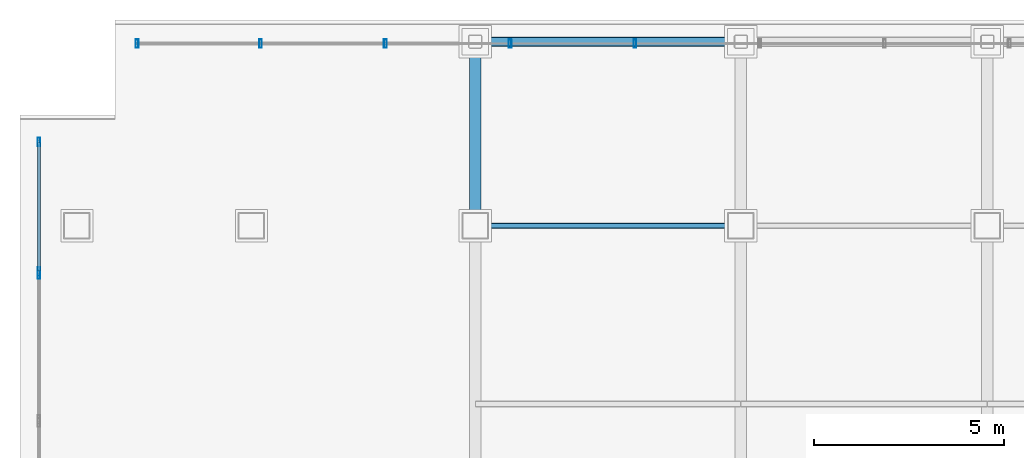
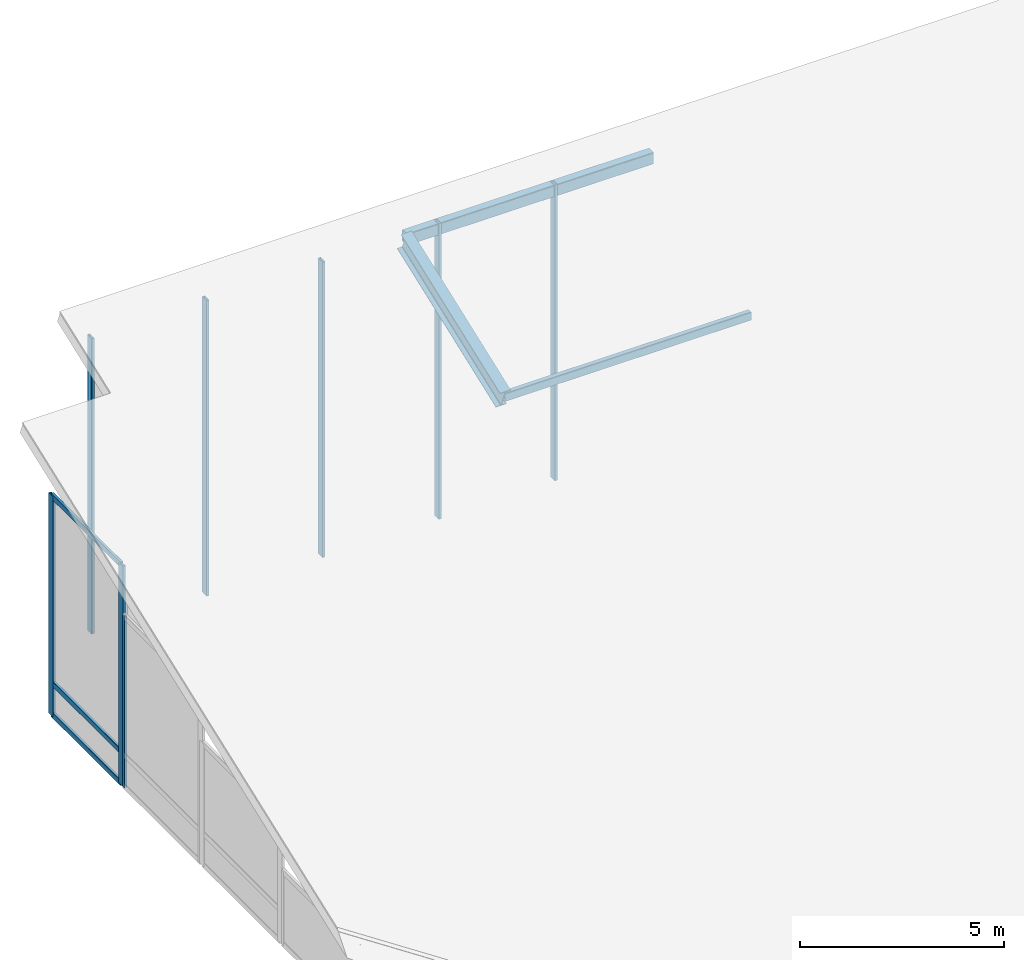
# One storey, part 6 of 12: 13 members, 1 beam, 3 elements without a shape of their own.
"""IFC4 building model written with IfcOpenShell, lengths in metres."""

from ifc_helpers import new_model, si_unit, direction, frame, origin, origin_2d, place, context, subcontext, project, spatial, hollow_rectangle, i_section, extrude, material, material_profile, profile_set, type_object, element, aggregate, save


model = new_model("IFC4")

# Units and contexts
model_context = context("Model", 3, precision=1e-05, world=origin(), true_north=direction((0.0, 1.0)))
body_context = subcontext(model_context, "Body", "Model", "MODEL_VIEW")
ifc_project = project(units=[si_unit("LENGTHUNIT", "METRE"), si_unit("AREAUNIT", "SQUARE_METRE"), si_unit("VOLUMEUNIT", "CUBIC_METRE"), si_unit("PLANEANGLEUNIT", "RADIAN"), si_unit("MASSUNIT", "GRAM", prefix="KILO")], contexts=[model_context])

# Site, building, storey
site_placement = place(None, origin())
site = spatial("IfcSite", under=ifc_project, at=site_placement, CompositionType="ELEMENT")
building_placement = place(site_placement, origin())
building = spatial("IfcBuilding", under=site, at=building_placement, Name="Noeulbin Bourse Tower", CompositionType="ELEMENT")
storey_placement = place(building_placement, frame((0.0, 0.0, 317.39990234375)))
storey = spatial("IfcBuildingStorey", under=building, at=storey_placement, Name="RF", CompositionType="ELEMENT", Elevation=317.39990234375)

# Beam
ifc_material_1 = material(Name="Steel S355", Category="steel")
ifc_material_profile_1 = material_profile(ifc_material_1, i_section(OverallWidth=0.300048828125, OverallDepth=0.587890625, WebThickness=0.011962890625, FlangeThickness=0.02001953125, FilletRadius=0.02392578125, at=origin_2d()), Name="H-588x300x12x20", Category="LoadBearing")
ifc_profile_set_1 = profile_set([ifc_material_profile_1], Name="Steel S355")
beam_type = type_object("IfcBeamType", Name="BM-GRD-588", PredefinedType="USERDEFINED", material=ifc_profile_set_1)
beam_placement = place(storey_placement, frame((24.0, 38.300048828125, 6.7529296875), z_axis=(0.0, 0.936675578979, 0.350198314879), x_axis=(-1.0, 0.0, 0.0)))
element("IfcBeam", 1, at=beam_placement, inside=storey, type_object=beam_type, Name="Sloped Crown Rafter G-588-01.3", ObjectType="GIRDER", PredefinedType="USERDEFINED", context=body_context, shape_type="SweptSolid", body=[
    extrude(i_section(OverallWidth=0.300048828125, OverallDepth=0.587890625, WebThickness=0.011962890625, FlangeThickness=0.02001953125, FilletRadius=0.02392578125, at=origin_2d()), origin(), (0.0, 0.0, 1.0), 5.177734375),
])

# Curtain wall, members
ifc_material_2 = material(Name="Translucent Ceramic-Fritted Glass", Category="glass")
curtain_wall_type = type_object("IfcCurtainWallType", Name="CW-SYS-5", PredefinedType="NOTDEFINED", material=ifc_material_2)
curtain_wall_1_placement = place(storey_placement, origin())
curtain_wall_1 = element("IfcCurtainWall", 2, at=curtain_wall_1_placement, inside=storey, type_object=curtain_wall_type, Name="Unitised Curtain Wall CW-RF-CRN-N", PredefinedType="NOTDEFINED")
ifc_material_3 = material(Name="Anodised Aluminium 6063-T6", Category="aluminium")
ifc_material_profile_2 = material_profile(ifc_material_3, hollow_rectangle(XDim=0.074951171875, YDim=0.219970703125, WallThickness=0.0048828125, InnerFilletRadius=0.00244140625, OuterFilletRadius=0.0048828125, at=origin_2d()), Name="ALU-MULL-75x220x5", Category="LoadBearing")
ifc_profile_set_2 = profile_set([ifc_material_profile_2], Name="Anodised Aluminium 6063-T6")
member_type_1 = type_object("IfcMemberType", Name="CW-SYS-5-MUL", PredefinedType="MULLION", material=ifc_profile_set_2)
member_1_placement = place(storey_placement, frame((15.090087890625, 43.10009765625, -0.02001953125), z_axis=(0.0, 0.0, 1.0), x_axis=(1.0, 0.0, 0.0)))
member_1 = element("IfcMember", 3, at=member_1_placement, type_object=member_type_1, Name="Curtain Wall Mullion CW-RF-CRN-N-M00", PredefinedType="MULLION", context=body_context, shape_type="SweptSolid", body=[
    extrude(hollow_rectangle(XDim=0.074951171875, YDim=0.219970703125, WallThickness=0.0048828125, InnerFilletRadius=0.00244140625, OuterFilletRadius=0.0048828125, at=origin_2d()), origin(), (0.0, 0.0, 1.0), 8.851318359375),
])
member_2_placement = place(storey_placement, frame((18.340087890625, 43.10009765625, -0.02001953125), z_axis=(0.0, 0.0, 1.0), x_axis=(1.0, 0.0, 0.0)))
member_2 = element("IfcMember", 4, at=member_2_placement, type_object=member_type_1, Name="Curtain Wall Mullion CW-RF-CRN-N-M01", PredefinedType="MULLION", context=body_context, shape_type="SweptSolid", body=[
    extrude(hollow_rectangle(XDim=0.074951171875, YDim=0.219970703125, WallThickness=0.0048828125, InnerFilletRadius=0.00244140625, OuterFilletRadius=0.0048828125, at=origin_2d()), origin(), (0.0, 0.0, 1.0), 8.851318359375),
])
member_3_placement = place(storey_placement, frame((21.6298828125, 43.10009765625, -0.02001953125), z_axis=(0.0, 0.0, 1.0), x_axis=(1.0, 0.0, 0.0)))
member_3 = element("IfcMember", 5, at=member_3_placement, type_object=member_type_1, Name="Curtain Wall Mullion CW-RF-CRN-N-M02", PredefinedType="MULLION", context=body_context, shape_type="SweptSolid", body=[
    extrude(hollow_rectangle(XDim=0.074951171875, YDim=0.219970703125, WallThickness=0.0048828125, InnerFilletRadius=0.00244140625, OuterFilletRadius=0.0048828125, at=origin_2d()), origin(), (0.0, 0.0, 1.0), 8.851318359375),
])
member_4_placement = place(storey_placement, frame((24.919921875, 43.10009765625, -0.02001953125), z_axis=(0.0, 0.0, 1.0), x_axis=(1.0, 0.0, 0.0)))
member_4 = element("IfcMember", 6, at=member_4_placement, type_object=member_type_1, Name="Curtain Wall Mullion CW-RF-CRN-N-M03", PredefinedType="MULLION", context=body_context, shape_type="SweptSolid", body=[
    extrude(hollow_rectangle(XDim=0.074951171875, YDim=0.219970703125, WallThickness=0.0048828125, InnerFilletRadius=0.00244140625, OuterFilletRadius=0.0048828125, at=origin_2d()), origin(), (0.0, 0.0, 1.0), 8.851318359375),
])
member_5_placement = place(storey_placement, frame((28.2099609375, 43.10009765625, -0.02001953125), z_axis=(0.0, 0.0, 1.0), x_axis=(1.0, 0.0, 0.0)))
member_5 = element("IfcMember", 7, at=member_5_placement, type_object=member_type_1, Name="Curtain Wall Mullion CW-RF-CRN-N-M04", PredefinedType="MULLION", context=body_context, shape_type="SweptSolid", body=[
    extrude(hollow_rectangle(XDim=0.074951171875, YDim=0.219970703125, WallThickness=0.0048828125, InnerFilletRadius=0.00244140625, OuterFilletRadius=0.0048828125, at=origin_2d()), origin(), (0.0, 0.0, 1.0), 8.851318359375),
])
aggregate(curtain_wall_1, [member_1, member_2, member_3, member_4, member_5])

# Curtain wall, member
curtain_wall_2_placement = place(storey_placement, origin())
curtain_wall_2 = element("IfcCurtainWall", 8, at=curtain_wall_2_placement, inside=storey, type_object=curtain_wall_type, Name="Unitised Curtain Wall CW-RF-CRN-W4", PredefinedType="NOTDEFINED")
member_6_placement = place(storey_placement, frame((12.5, 37.010009765625, -0.02001953125), z_axis=(0.0, 0.0, 1.0), x_axis=(1.0, 0.0, 0.0)))
member_6 = element("IfcMember", 9, at=member_6_placement, type_object=member_type_1, Name="Curtain Wall Mullion CW-RF-CRN-W4-M01", PredefinedType="MULLION", context=body_context, shape_type="SweptSolid", body=[
    extrude(hollow_rectangle(XDim=0.074951171875, YDim=0.219970703125, WallThickness=0.0048828125, InnerFilletRadius=0.00244140625, OuterFilletRadius=0.0048828125, at=origin_2d()), origin(), (0.0, 0.0, 1.0), 5.131103515625),
])
aggregate(curtain_wall_2, [member_6])

# Curtain wall, members
curtain_wall_3_placement = place(storey_placement, origin())
curtain_wall_3 = element("IfcCurtainWall", 10, at=curtain_wall_3_placement, inside=storey, type_object=curtain_wall_type, Name="Unitised Curtain Wall CW-RF-CRN-W5", PredefinedType="NOTDEFINED")
member_7_placement = place(storey_placement, frame((12.5, 37.090087890625, -0.02001953125), z_axis=(0.0, 0.0, 1.0), x_axis=(1.0, 0.0, 0.0)))
member_7 = element("IfcMember", 11, at=member_7_placement, type_object=member_type_1, Name="Curtain Wall Mullion CW-RF-CRN-W5-M00", PredefinedType="MULLION", context=body_context, shape_type="SweptSolid", body=[
    extrude(hollow_rectangle(XDim=0.074951171875, YDim=0.219970703125, WallThickness=0.0048828125, InnerFilletRadius=0.00244140625, OuterFilletRadius=0.0048828125, at=origin_2d()), origin(), (0.0, 0.0, 1.0), 6.58935546875),
])
member_8_placement = place(storey_placement, frame((12.5, 40.510009765625, -0.02001953125), z_axis=(0.0, 0.0, 1.0), x_axis=(1.0, 0.0, 0.0)))
member_8 = element("IfcMember", 12, at=member_8_placement, type_object=member_type_1, Name="Curtain Wall Mullion CW-RF-CRN-W5-M01", PredefinedType="MULLION", context=body_context, shape_type="SweptSolid", body=[
    extrude(hollow_rectangle(XDim=0.074951171875, YDim=0.219970703125, WallThickness=0.0048828125, InnerFilletRadius=0.00244140625, OuterFilletRadius=0.0048828125, at=origin_2d()), origin(), (0.0, 0.0, 1.0), 6.58935546875),
])
ifc_material_profile_3 = material_profile(ifc_material_3, hollow_rectangle(XDim=0.074951171875, YDim=0.159912109375, WallThickness=0.0048828125, InnerFilletRadius=0.00244140625, OuterFilletRadius=0.0048828125, at=origin_2d()), Name="ALU-TRAN-75x160x5", Category="LoadBearing")
ifc_profile_set_3 = profile_set([ifc_material_profile_3], Name="Anodised Aluminium 6063-T6")
member_type_2 = type_object("IfcMemberType", Name="CW-SYS-5-TRN", PredefinedType="USERDEFINED", material=ifc_profile_set_3)
member_9_placement = place(storey_placement, frame((12.5, 37.10009765625, 0.010009765625), z_axis=(0.0, 1.0, 0.0), x_axis=(-1.0, 0.0, 0.0)))
member_9 = element("IfcMember", 13, at=member_9_placement, type_object=member_type_2, Name="Curtain Wall Transom CW-RF-CRN-W5-T00", ObjectType="TRANSOM", PredefinedType="USERDEFINED", context=body_context, shape_type="SweptSolid", body=[
    extrude(hollow_rectangle(XDim=0.074951171875, YDim=0.159912109375, WallThickness=0.0048828125, InnerFilletRadius=0.00244140625, OuterFilletRadius=0.0048828125, at=origin_2d()), origin(), (0.0, 0.0, 1.0), 3.39990234375),
])
member_10_placement = place(storey_placement, frame((12.5, 37.10009765625, 0.9501953125), z_axis=(0.0, 1.0, 0.0), x_axis=(-1.0, 0.0, 0.0)))
member_10 = element("IfcMember", 14, at=member_10_placement, type_object=member_type_2, Name="Curtain Wall Transom CW-RF-CRN-W5-T01", ObjectType="TRANSOM", PredefinedType="USERDEFINED", context=body_context, shape_type="SweptSolid", body=[
    extrude(hollow_rectangle(XDim=0.074951171875, YDim=0.159912109375, WallThickness=0.0048828125, InnerFilletRadius=0.00244140625, OuterFilletRadius=0.0048828125, at=origin_2d()), origin(), (0.0, 0.0, 1.0), 3.39990234375),
])
member_11_placement = place(storey_placement, frame((12.5, 37.10009765625, 6.539306640625), z_axis=(0.0, 1.0, 0.0), x_axis=(-1.0, 0.0, 0.0)))
member_11 = element("IfcMember", 15, at=member_11_placement, type_object=member_type_2, Name="Curtain Wall Transom CW-RF-CRN-W5-T02", ObjectType="TRANSOM", PredefinedType="USERDEFINED", context=body_context, shape_type="SweptSolid", body=[
    extrude(hollow_rectangle(XDim=0.074951171875, YDim=0.159912109375, WallThickness=0.0048828125, InnerFilletRadius=0.00244140625, OuterFilletRadius=0.0048828125, at=origin_2d()), origin(), (0.0, 0.0, 1.0), 3.39990234375),
])
aggregate(curtain_wall_3, [member_7, member_8, member_9, member_10, member_11])

# Members
ifc_material_profile_4 = material_profile(ifc_material_1, hollow_rectangle(XDim=0.14990234375, YDim=0.25, WallThickness=0.010009765625, InnerFilletRadius=0.010009765625, OuterFilletRadius=0.02001953125, at=origin_2d()), Name="RHS-250x150x10", Category="LoadBearing")
ifc_profile_set_4 = profile_set([ifc_material_profile_4], Name="Steel S355")
member_type_3 = type_object("IfcMemberType", Name="MEM-PRL-250", PredefinedType="PURLIN", material=ifc_profile_set_4)
member_12_placement = place(storey_placement, frame((24.010009765625, 38.300048828125, 6.816650390625), z_axis=(1.0, 0.0, 0.0), x_axis=(0.0, 1.0, 0.0)))
element("IfcMember", 16, at=member_12_placement, inside=storey, type_object=member_type_3, Name="Crown Roof Purlin 5.1", PredefinedType="PURLIN", context=body_context, shape_type="SweptSolid", body=[
    extrude(hollow_rectangle(XDim=0.14990234375, YDim=0.25, WallThickness=0.010009765625, InnerFilletRadius=0.010009765625, OuterFilletRadius=0.02001953125, at=origin_2d()), origin(), (0.0, 0.0, 1.0), 6.97998046875),
])
ifc_material_profile_5 = material_profile(ifc_material_1, hollow_rectangle(XDim=0.25, YDim=0.35009765625, WallThickness=0.013916015625, InnerFilletRadius=0.013916015625, OuterFilletRadius=0.028076171875, at=origin_2d()), Name="RHS-350x250x14", Category="LoadBearing")
ifc_profile_set_5 = profile_set([ifc_material_profile_5], Name="Steel S355")
member_type_4 = type_object("IfcMemberType", Name="MEM-PRL-350", PredefinedType="PURLIN", material=ifc_profile_set_5)
member_13_placement = place(storey_placement, frame((24.010009765625, 43.14990234375, 8.630126953125), z_axis=(1.0, 0.0, 0.0), x_axis=(0.0, 1.0, 0.0)))
element("IfcMember", 17, at=member_13_placement, inside=storey, type_object=member_type_4, Name="Crown Roof Purlin 6.1", PredefinedType="PURLIN", context=body_context, shape_type="SweptSolid", body=[
    extrude(hollow_rectangle(XDim=0.25, YDim=0.35009765625, WallThickness=0.013916015625, InnerFilletRadius=0.013916015625, OuterFilletRadius=0.028076171875, at=origin_2d()), origin(), (0.0, 0.0, 1.0), 6.97998046875),
])

save(model, "model.ifc")
